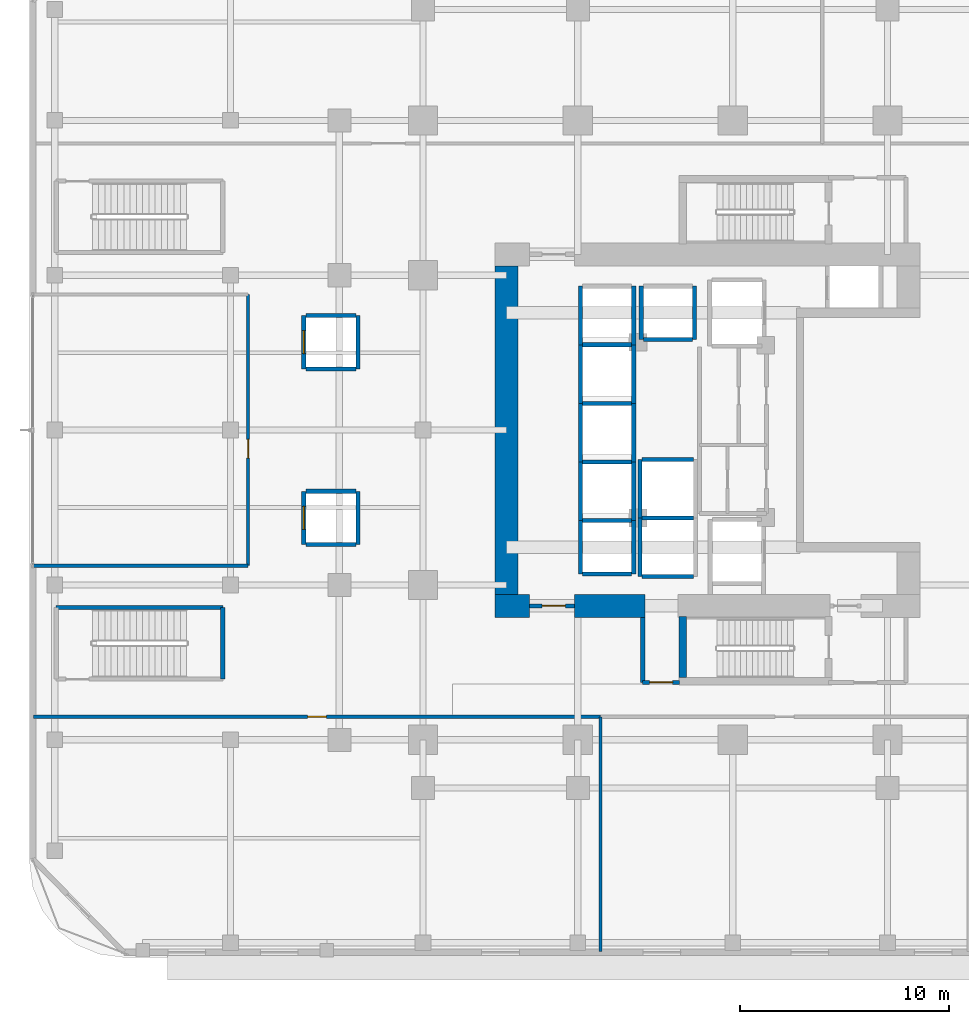
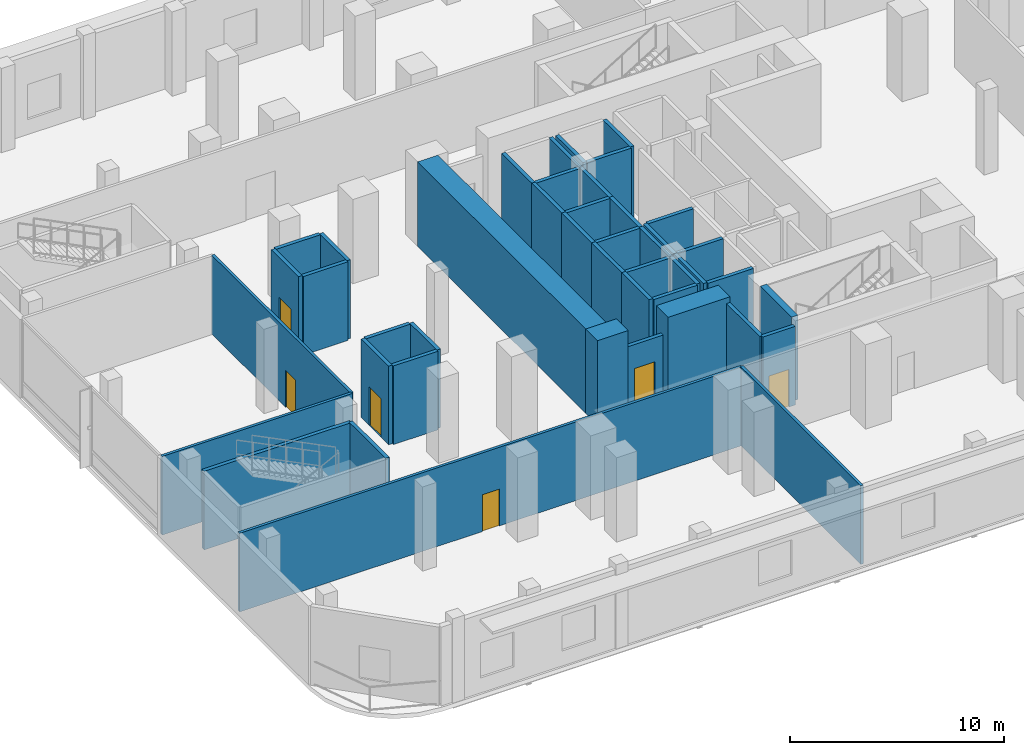
# One storey, part 8 of 19: 44 walls, 6 doors, 6 openings.
"""IFC4 building model written with IfcOpenShell, lengths in metres."""

import ifcopenshell
import ifcopenshell.guid

model = None  # the IFC model being written
_history = None  # IfcOwnerHistory: only IFC2X3 demands one
_inside = {}  # id of a spatial element -> (the spatial element, [elements in it])
_under = {}  # id of a project, library or spatial element -> (it, [spatial elements below it])
_declared = {}  # id of a project -> (the project, [libraries it declares])
_typed = {}  # id of a type object -> (the type object, [elements of that type])
_made_of = {}  # id of a material, layer set ... -> (it, [elements and type objects made of it])


def new_model(schema):
    """Start an empty IFC model of exactly this schema.

    Asked for "IFC4X3", IfcOpenShell would pick the latest addendum, in which some entities
    have other attributes; the version numbers below select the first issue.
    IFC2X3 requires an IfcOwnerHistory on every rooted entity: one is made here for all.
    """
    global model, _history
    if schema == "IFC4X3":
        model = ifcopenshell.file(schema_version=(4, 3, 0, 0))
    else:
        model = ifcopenshell.file(schema=schema)
    _inside.clear()
    _under.clear()
    _declared.clear()
    _typed.clear()
    _made_of.clear()
    _history = None
    if model.schema == "IFC2X3":
        org = make("IfcOrganization", Name="unknown")
        user = make(
            "IfcPersonAndOrganization",
            ThePerson=make("IfcPerson", FamilyName="unknown"),
            TheOrganization=org,
        )
        app = make(
            "IfcApplication",
            ApplicationDeveloper=org,
            Version="unknown",
            ApplicationFullName="unknown",
            ApplicationIdentifier="unknown",
        )
        _history = make(
            "IfcOwnerHistory",
            OwningUser=user,
            OwningApplication=app,
            ChangeAction="ADDED",
            CreationDate=0,
        )
    return model


def make(cls, **values):
    """One entity of the class cls with the attributes given. An attribute that is None is left unset."""
    return model.create_entity(
        cls, **{name: value for name, value in values.items() if value is not None}
    )


def rooted(cls, **values):
    """An entity with a GlobalId (a new one), such as an element, a storey or a relation."""
    return make(cls, GlobalId=ifcopenshell.guid.new(), OwnerHistory=_history, **values)


def si_unit(unit_type, name, prefix=None):
    """IfcSIUnit, for example si_unit("LENGTHUNIT", "METRE", prefix="MILLI")."""
    return make("IfcSIUnit", UnitType=unit_type, Prefix=prefix, Name=name)


def assignment(units):
    """IfcUnitAssignment: the units of a project."""
    return None if units is None else make("IfcUnitAssignment", Units=units)


def point(xyz):
    """IfcCartesianPoint."""
    return None if xyz is None else make("IfcCartesianPoint", Coordinates=xyz)


def direction(xyz):
    """IfcDirection."""
    return None if xyz is None else make("IfcDirection", DirectionRatios=xyz)


def frame(location, z_axis=None, x_axis=None):
    """IfcAxis2Placement3D, a coordinate frame: its origin and axes. An axis left out is left unset."""
    return make(
        "IfcAxis2Placement3D",
        Location=point(location),
        Axis=direction(z_axis),
        RefDirection=direction(x_axis),
    )


def frame_2d(location, x_axis=None):
    """IfcAxis2Placement2D, a coordinate frame in the plane: its origin and x axis."""
    return make(
        "IfcAxis2Placement2D", Location=point(location), RefDirection=direction(x_axis)
    )


def origin():
    """The frame at (0, 0, 0) with its axes left unset."""
    return frame((0.0, 0.0, 0.0))


def place(relative_to, where):
    """IfcLocalPlacement: puts the frame where relative to a parent placement (None: the world)."""
    return make(
        "IfcLocalPlacement", PlacementRelTo=relative_to, RelativePlacement=where
    )


def context(
    kind, dimensions, precision=None, world=None, true_north=None, identifier=None
):
    """IfcGeometricRepresentationContext, for example the 3D "Model" context."""
    return make(
        "IfcGeometricRepresentationContext",
        ContextIdentifier=identifier,
        ContextType=kind,
        CoordinateSpaceDimension=dimensions,
        Precision=precision,
        WorldCoordinateSystem=world,
        TrueNorth=true_north,
    )


def subcontext(parent, identifier, kind, view, scale=None):
    """IfcGeometricRepresentationSubContext, for example "Body" below "Model"."""
    return make(
        "IfcGeometricRepresentationSubContext",
        ContextIdentifier=identifier,
        ContextType=kind,
        ParentContext=parent,
        TargetScale=scale,
        TargetView=view,
    )


def project(units=None, contexts=None):
    """IfcProject with its units and contexts."""
    return rooted(
        "IfcProject",
        Name="project",
        RepresentationContexts=contexts,
        UnitsInContext=assignment(units),
    )


def spatial(cls, under=None, at=None, **own):
    """A site, building, storey or space (cls), placed at a placement, below another one or the project."""
    s = rooted(cls, ObjectPlacement=at, **own)
    if under is not None:
        _under.setdefault(under.id(), (under, []))[1].append(s)
    return s


def profile(cls, at=None, kind="AREA", **sizes):
    """A parametric profile (cls). Its sizes go by their IFC names, for example OverallWidth=200.0."""
    return make(cls, ProfileType=kind, Position=at, **sizes)


def rectangle(**sizes):
    """IfcRectangleProfileDef."""
    return profile("IfcRectangleProfileDef", **sizes)


def extrude(swept, where, along, depth):
    """IfcExtrudedAreaSolid: the profile swept, set in the frame where, extruded along a direction by depth."""
    return make(
        "IfcExtrudedAreaSolid",
        SweptArea=swept,
        Position=where,
        ExtrudedDirection=direction(along),
        Depth=depth,
    )


def shape(context_of_items, identifier, shape_type, items):
    """IfcShapeRepresentation: the items that make up one representation, for example the "Body"."""
    return make(
        "IfcShapeRepresentation",
        ContextOfItems=context_of_items,
        RepresentationIdentifier=identifier,
        RepresentationType=shape_type,
        Items=items,
    )


def material(Name=None, Category=None):
    """IfcMaterial."""
    return make("IfcMaterial", Name=Name, Category=Category)


def layer(
    of_material, thickness, ventilated=None, Name=None, Category=None, Priority=None
):
    """IfcMaterialLayer: one layer of a wall or slab, of a material (None: an air gap)."""
    return make(
        "IfcMaterialLayer",
        Material=of_material,
        LayerThickness=thickness,
        IsVentilated=ventilated,
        Name=Name,
        Category=Category,
        Priority=Priority,
    )


def layer_set(layers, Name=None):
    """IfcMaterialLayerSet."""
    return make("IfcMaterialLayerSet", MaterialLayers=layers, LayerSetName=Name)


def made_of(thing, what):
    """Note that an element or type object is made of a material, layer set ...; save() writes the relation."""
    if what is not None:
        _made_of.setdefault(what.id(), (what, []))[1].append(thing)
    return thing


def type_object(cls, material=None, **own):
    """A type object (cls), such as IfcWallType, which elements share."""
    return made_of(rooted(cls, **own), material)


def element(
    cls,
    number,
    at=None,
    inside=None,
    cuts=None,
    type_object=None,
    material=None,
    context=None,
    identifier="Body",
    shape_type=None,
    held_by="IfcProductDefinitionShape",
    body=None,
    shapes=None,
    **own,
):
    """One element of the class cls, such as IfcWall. Its Tag is "e" and its number.

    at: its placement. inside: the storey or other place that contains it. cuts: it is an
    opening in that element (IfcRelVoidsElement). A single representation is given by context,
    identifier, shape_type and body (its items); several are given by shapes. held_by: the class
    of the entity that holds the representations. save() writes the other relations.
    """
    e = rooted(cls, Tag="e%d" % number, ObjectPlacement=at, **own)
    if body is not None:
        shapes = [shape(context, identifier, shape_type, body)]
    if shapes is not None:
        e.Representation = make(held_by, Representations=shapes)
    if inside is not None:
        _inside.setdefault(inside.id(), (inside, []))[1].append(e)
    if cuts is not None:
        rooted(
            "IfcRelVoidsElement", RelatingBuildingElement=cuts, RelatedOpeningElement=e
        )
    if type_object is not None:
        _typed.setdefault(type_object.id(), (type_object, []))[1].append(e)
    return made_of(e, material)


def fill(opening, filler):
    """IfcRelFillsElement: the door or window that sits in an opening."""
    return rooted(
        "IfcRelFillsElement",
        RelatingOpeningElement=opening,
        RelatedBuildingElement=filler,
    )


def aggregate(whole, parts):
    """IfcRelAggregates: a whole, such as a stair, and the parts it consists of."""
    return rooted("IfcRelAggregates", RelatingObject=whole, RelatedObjects=parts)


def save(model, path):
    """Write the relations noted so far, then the file.

    IfcRelAggregates (storeys below a building ...), IfcRelContainedInSpatialStructure (elements
    in a storey), IfcRelDefinesByType, IfcRelAssociatesMaterial and IfcRelDeclares: one each for
    every whole, place, type object, material and project.
    """
    for whole, parts in _under.values():
        aggregate(whole, parts)
    for where, things in _inside.values():
        rooted(
            "IfcRelContainedInSpatialStructure",
            RelatedElements=things,
            RelatingStructure=where,
        )
    for kind, things in _typed.values():
        rooted("IfcRelDefinesByType", RelatedObjects=things, RelatingType=kind)
    for what, things in _made_of.values():
        rooted("IfcRelAssociatesMaterial", RelatedObjects=things, RelatingMaterial=what)
    for by, libraries in _declared.values():
        rooted("IfcRelDeclares", RelatingContext=by, RelatedDefinitions=libraries)
    model.write(path)


model = new_model("IFC4")

# Units and contexts
model_context = context("Model", 3, precision=1e-05, world=origin(), true_north=direction((0.0, 1.0)))
body_context = subcontext(model_context, "Body", "Model", "MODEL_VIEW")
ifc_project = project(units=[si_unit("LENGTHUNIT", "METRE"), si_unit("AREAUNIT", "SQUARE_METRE"), si_unit("VOLUMEUNIT", "CUBIC_METRE"), si_unit("PLANEANGLEUNIT", "RADIAN"), si_unit("MASSUNIT", "GRAM", prefix="KILO")], contexts=[model_context])

# Site, building, storey
site_placement = place(None, origin())
site = spatial("IfcSite", under=ifc_project, at=site_placement, CompositionType="ELEMENT")
building_placement = place(site_placement, origin())
building = spatial("IfcBuilding", under=site, at=building_placement, Name="Khorvyn Point Tower", CompositionType="ELEMENT")
storey_placement = place(building_placement, frame((0.0, 0.0, 21.60009765625)))
storey = spatial("IfcBuildingStorey", under=building, at=storey_placement, Name="L06", CompositionType="ELEMENT", Elevation=21.60009765625)

# Wall, opening, door
ifc_material_1 = material(Name="Concrete C40/50", Category="concrete")
ifc_layer_1 = layer(ifc_material_1, 0.199951171875)
ifc_layer_set_1 = layer_set([ifc_layer_1], Name="Concrete C40/50 Fire-Lobby Compartment Wall 200")
wall_type_1 = type_object("IfcWallType", Name="Concrete C40/50 Fire-Lobby Compartment Wall 200", PredefinedType="SOLIDWALL", material=ifc_layer_set_1)
wall_1_placement = place(storey_placement, frame((-9.699951171875, -8.39990234375, 0.0), z_axis=(0.0, 0.0, 1.0), x_axis=(1.0, 0.0, 0.0)))
wall_1 = element("IfcWall", 1, at=wall_1_placement, inside=storey, type_object=wall_type_1, Name="Wall", PredefinedType="SOLIDWALL", context=body_context, shape_type="SweptSolid", body=[
    extrude(rectangle(XDim=2.14990234375, YDim=0.199951171875, at=frame_2d((1.074951171875, 0.0))), origin(), (0.0, 0.0, 1.0), 3.52001953125),
])
opening_1_placement = place(wall_1_placement, frame((0.597900390625, 0.0, 0.0)))
opening_1 = element("IfcOpeningElement", 2, at=opening_1_placement, cuts=wall_1, Name="Opening ID-FL90", PredefinedType="OPENING", context=body_context, shape_type="SweptSolid", body=[
    extrude(rectangle(XDim=1.10009765625, YDim=2.14990234375, at=frame_2d((0.550048828125, 1.074951171875))), frame((0.0, 0.10986328125, 0.0), z_axis=(0.0, -1.0, 0.0), x_axis=(1.0, 0.0, 0.0)), (0.0, 0.0, 1.0), 0.219970703125),
])
ifc_material_2 = material(Name="Galvanised powder-coated steel", Category="steel")
door_type_1 = type_object("IfcDoorType", Name="Fire-Rated Steel Lobby and Stair Door 1100x2150", OperationType="NOTDEFINED", PredefinedType="DOOR", material=ifc_material_2)
door_1_placement = place(opening_1_placement, origin())
door_1 = element("IfcDoor", 3, at=door_1_placement, inside=storey, type_object=door_type_1, Name="Door", OperationType="SINGLE_SWING_LEFT", OverallHeight=2.14990234375, OverallWidth=1.10009765625, PredefinedType="DOOR", context=body_context, shape_type="SweptSolid", body=[
    extrude(rectangle(XDim=1.10009765625, YDim=2.14990234375, at=frame_2d((0.550048828125, 1.074951171875))), frame((0.0, 0.02490234375, 0.0), z_axis=(0.0, -1.0, 0.0), x_axis=(1.0, 0.0, 0.0)), (0.0, 0.0, 1.0), 0.050048828125),
])
fill(opening_1, door_1)

wall_2_placement = place(storey_placement, frame((-4.300048828125, -12.06005859375, 0.0), z_axis=(0.0, 0.0, 1.0), x_axis=(1.0, 0.0, 0.0)))
wall_2 = element("IfcWall", 4, at=wall_2_placement, inside=storey, type_object=wall_type_1, Name="Wall", PredefinedType="SOLIDWALL", context=body_context, shape_type="SweptSolid", body=[
    extrude(rectangle(XDim=1.75, YDim=0.199951171875, at=frame_2d((0.875, 0.0))), origin(), (0.0, 0.0, 1.0), 4.47998046875),
])
opening_2_placement = place(wall_2_placement, frame((0.324951171875, 0.0, 0.0)))
opening_2 = element("IfcOpeningElement", 5, at=opening_2_placement, cuts=wall_2, Name="Opening ID-FL90", PredefinedType="OPENING", context=body_context, shape_type="SweptSolid", body=[
    extrude(rectangle(XDim=1.10009765625, YDim=2.14990234375, at=frame_2d((0.550048828125, 1.074951171875))), frame((0.0, 0.10986328125, 0.0), z_axis=(0.0, -1.0, 0.0), x_axis=(1.0, 0.0, 0.0)), (0.0, 0.0, 1.0), 0.219970703125),
])
door_2_placement = place(opening_2_placement, origin())
door_2 = element("IfcDoor", 6, at=door_2_placement, inside=storey, type_object=door_type_1, Name="Door", OperationType="SINGLE_SWING_LEFT", OverallHeight=2.14990234375, OverallWidth=1.10009765625, PredefinedType="DOOR", context=body_context, shape_type="SweptSolid", body=[
    extrude(rectangle(XDim=1.10009765625, YDim=2.14990234375, at=frame_2d((0.550048828125, 1.074951171875))), frame((0.0, 0.02490234375, 0.0), z_axis=(0.0, -1.0, 0.0), x_axis=(1.0, 0.0, 0.0)), (0.0, 0.0, 1.0), 0.050048828125),
])
fill(opening_2, door_2)

# Walls
wall_3_placement = place(storey_placement, frame((-4.300048828125, -12.06005859375, 0.0), z_axis=(0.0, 0.0, 1.0), x_axis=(0.0, 1.0, 0.0)))
element("IfcWall", 7, at=wall_3_placement, inside=storey, type_object=wall_type_1, Name="Wall", PredefinedType="SOLIDWALL", context=body_context, shape_type="SweptSolid", body=[
    extrude(rectangle(XDim=3.110107421875, YDim=0.199951171875, at=frame_2d((1.55517578125, 0.0))), origin(), (0.0, 0.0, 1.0), 4.47998046875),
])
ifc_layer_2 = layer(ifc_material_1, 0.35009765625)
ifc_layer_set_2 = layer_set([ifc_layer_2], Name="Concrete C40/50 Stair Shaft Structural Wall 350")
wall_type_2 = type_object("IfcWallType", Name="Concrete C40/50 Stair Shaft Structural Wall 350", PredefinedType="SHEAR", material=ifc_layer_set_2)
wall_4_placement = place(storey_placement, frame((-2.3798828125, -11.824951171875, 0.0), z_axis=(0.0, 0.0, 1.0), x_axis=(0.0, 1.0, 0.0)))
element("IfcWall", 8, at=wall_4_placement, inside=storey, type_object=wall_type_2, Name="L06 ST-01 West Shaft Wall", PredefinedType="SHEAR", context=body_context, shape_type="SweptSolid", body=[
    extrude(rectangle(XDim=2.925048828125, YDim=0.35009765625, at=frame_2d((1.46240234375, 0.0))), origin(), (0.0, 0.0, 1.0), 4.7998046875),
])

# Wall, opening, door
ifc_layer_3 = layer(ifc_material_1, 0.199951171875)
ifc_layer_set_3 = layer_set([ifc_layer_3], Name="Concrete C40/50 Structural Hoistway and Stair Shaft Wall 200")
wall_type_3 = type_object("IfcWallType", Name="Concrete C40/50 Structural Hoistway and Stair Shaft Wall 200", PredefinedType="SHEAR", material=ifc_layer_set_3)
wall_5_placement = place(storey_placement, frame((-20.5, -5.47509765625, 0.0), z_axis=(0.0, 0.0, 1.0), x_axis=(0.0, 1.0, 0.0)))
wall_5 = element("IfcWall", 9, at=wall_5_placement, inside=storey, type_object=wall_type_3, Name="Wall", PredefinedType="SHEAR", context=body_context, shape_type="SweptSolid", body=[
    extrude(rectangle(XDim=2.550048828125, YDim=0.199951171875, at=frame_2d((1.27490234375, 0.0))), origin(), (0.0, 0.0, 1.0), 4.47998046875),
])
opening_3_placement = place(wall_5_placement, frame((0.72509765625, 0.0, 0.0)))
opening_3 = element("IfcOpeningElement", 10, at=opening_3_placement, cuts=wall_5, Name="Opening LD-1122", PredefinedType="OPENING", context=body_context, shape_type="SweptSolid", body=[
    extrude(rectangle(XDim=1.10009765625, YDim=2.199951171875, at=frame_2d((0.550048828125, 1.10009765625))), frame((0.0, 0.10986328125, 0.0), z_axis=(0.0, -1.0, 0.0), x_axis=(1.0, 0.0, 0.0)), (0.0, 0.0, 1.0), 0.219970703125),
])
ifc_material_3 = material(Name="Stainless steel 1.4301", Category="steel")
door_type_2 = type_object("IfcDoorType", Name="Stainless Steel Automatic Sliding Lift Landing Door 1100x2200", OperationType="SLIDING_TO_LEFT", PredefinedType="DOOR", material=ifc_material_3)
door_3_placement = place(opening_3_placement, origin())
door_3 = element("IfcDoor", 11, at=door_3_placement, inside=storey, type_object=door_type_2, Name="L06 SL-01 Sliding Lift Landing Door", OperationType="SLIDING_TO_LEFT", OverallHeight=2.199951171875, OverallWidth=1.10009765625, PredefinedType="DOOR", context=body_context, shape_type="SweptSolid", body=[
    extrude(rectangle(XDim=1.10009765625, YDim=2.199951171875, at=frame_2d((0.550048828125, 1.10009765625))), frame((0.0, 0.02490234375, 0.0), z_axis=(0.0, -1.0, 0.0), x_axis=(1.0, 0.0, 0.0)), (0.0, 0.0, 1.0), 0.050048828125),
])
fill(opening_3, door_3)

# Walls
wall_6_placement = place(storey_placement, frame((-17.89990234375, -5.47509765625, 0.0), z_axis=(0.0, 0.0, 1.0), x_axis=(0.0, 1.0, 0.0)))
element("IfcWall", 12, at=wall_6_placement, inside=storey, type_object=wall_type_3, Name="Wall", PredefinedType="SHEAR", context=body_context, shape_type="SweptSolid", body=[
    extrude(rectangle(XDim=2.550048828125, YDim=0.199951171875, at=frame_2d((1.27490234375, 0.0))), origin(), (0.0, 0.0, 1.0), 4.47998046875),
])
for number, where, z_axis, x_axis, name in (
    (13, (-20.39990234375, -5.47509765625, 0.0), (0.0, 0.0, 1.0), (1.0, 0.0, 0.0), "Wall"),
    (14, (-20.39990234375, -2.925048828125, 0.0), (0.0, 0.0, 1.0), (1.0, 0.0, 0.0), "Wall"),
):
    element("IfcWall", number, at=place(storey_placement, frame(where, z_axis=z_axis, x_axis=x_axis)), inside=storey, type_object=wall_type_3, Name=name, PredefinedType="SHEAR", context=body_context, shape_type="SweptSolid", body=[
        extrude(rectangle(XDim=2.39990234375, YDim=0.199951171875, at=frame_2d((1.199951171875, 0.0))), origin(), (0.0, 0.0, 1.0), 4.47998046875),
    ])

# Wall, opening, door
wall_7_placement = place(storey_placement, frame((-20.5, 2.925048828125, 0.0), z_axis=(0.0, 0.0, 1.0), x_axis=(0.0, 1.0, 0.0)))
wall_7 = element("IfcWall", 15, at=wall_7_placement, inside=storey, type_object=wall_type_3, Name="Wall", PredefinedType="SHEAR", context=body_context, shape_type="SweptSolid", body=[
    extrude(rectangle(XDim=2.550048828125, YDim=0.199951171875, at=frame_2d((1.27490234375, 0.0))), origin(), (0.0, 0.0, 1.0), 4.47998046875),
])
opening_4_placement = place(wall_7_placement, frame((0.72509765625, 0.0, 0.0)))
opening_4 = element("IfcOpeningElement", 16, at=opening_4_placement, cuts=wall_7, Name="Opening LD-1122", PredefinedType="OPENING", context=body_context, shape_type="SweptSolid", body=[
    extrude(rectangle(XDim=1.10009765625, YDim=2.199951171875, at=frame_2d((0.550048828125, 1.10009765625))), frame((0.0, 0.10986328125, 0.0), z_axis=(0.0, -1.0, 0.0), x_axis=(1.0, 0.0, 0.0)), (0.0, 0.0, 1.0), 0.219970703125),
])
door_4_placement = place(opening_4_placement, origin())
door_4 = element("IfcDoor", 17, at=door_4_placement, inside=storey, type_object=door_type_2, Name="L06 SL-02 Sliding Lift Landing Door", OperationType="SLIDING_TO_LEFT", OverallHeight=2.199951171875, OverallWidth=1.10009765625, PredefinedType="DOOR", context=body_context, shape_type="SweptSolid", body=[
    extrude(rectangle(XDim=1.10009765625, YDim=2.199951171875, at=frame_2d((0.550048828125, 1.10009765625))), frame((0.0, 0.02490234375, 0.0), z_axis=(0.0, -1.0, 0.0), x_axis=(1.0, 0.0, 0.0)), (0.0, 0.0, 1.0), 0.050048828125),
])
fill(opening_4, door_4)

# Walls
wall_8_placement = place(storey_placement, frame((-17.89990234375, 2.925048828125, 0.0), z_axis=(0.0, 0.0, 1.0), x_axis=(0.0, 1.0, 0.0)))
element("IfcWall", 18, at=wall_8_placement, inside=storey, type_object=wall_type_3, Name="Wall", PredefinedType="SHEAR", context=body_context, shape_type="SweptSolid", body=[
    extrude(rectangle(XDim=2.550048828125, YDim=0.199951171875, at=frame_2d((1.27490234375, 0.0))), origin(), (0.0, 0.0, 1.0), 4.47998046875),
])
for number, where, z_axis, x_axis, name in (
    (19, (-20.39990234375, 2.925048828125, 0.0), (0.0, 0.0, 1.0), (1.0, 0.0, 0.0), "Wall"),
    (20, (-20.39990234375, 5.47509765625, 0.0), (0.0, 0.0, 1.0), (1.0, 0.0, 0.0), "Wall"),
):
    element("IfcWall", number, at=place(storey_placement, frame(where, z_axis=z_axis, x_axis=x_axis)), inside=storey, type_object=wall_type_3, Name=name, PredefinedType="SHEAR", context=body_context, shape_type="SweptSolid", body=[
        extrude(rectangle(XDim=2.39990234375, YDim=0.199951171875, at=frame_2d((1.199951171875, 0.0))), origin(), (0.0, 0.0, 1.0), 4.47998046875),
    ])
for number, where, z_axis, x_axis, name in (
    (21, (-7.27490234375, -6.875, 0.0), (0.0, 0.0, 1.0), (0.0, 1.0, 0.0), "Wall"),
    (22, (-4.72509765625, -6.875, 0.0), (0.0, 0.0, 1.0), (0.0, 1.0, 0.0), "Wall"),
):
    element("IfcWall", number, at=place(storey_placement, frame(where, z_axis=z_axis, x_axis=x_axis)), inside=storey, type_object=wall_type_3, Name=name, PredefinedType="SHEAR", context=body_context, shape_type="SweptSolid", body=[
        extrude(rectangle(XDim=2.550048828125, YDim=0.199951171875, at=frame_2d((1.27490234375, 0.0))), origin(), (0.0, 0.0, 1.0), 4.47998046875),
    ])
for number, where, z_axis, x_axis, name in (
    (23, (-7.175048828125, -6.875, 0.0), (0.0, 0.0, 1.0), (1.0, 0.0, 0.0), "Wall"),
    (24, (-7.175048828125, -4.324951171875, 0.0), (0.0, 0.0, 1.0), (1.0, 0.0, 0.0), "Wall"),
):
    element("IfcWall", number, at=place(storey_placement, frame(where, z_axis=z_axis, x_axis=x_axis)), inside=storey, type_object=wall_type_3, Name=name, PredefinedType="SHEAR", context=body_context, shape_type="SweptSolid", body=[
        extrude(rectangle(XDim=2.35009765625, YDim=0.199951171875, at=frame_2d((1.175048828125, 0.0))), origin(), (0.0, 0.0, 1.0), 4.47998046875),
    ])
for number, where, z_axis, x_axis, name in (
    (25, (-7.27490234375, -4.324951171875, 0.0), (0.0, 0.0, 1.0), (0.0, 1.0, 0.0), "Wall"),
    (26, (-4.72509765625, -4.324951171875, 0.0), (0.0, 0.0, 1.0), (0.0, 1.0, 0.0), "Wall"),
):
    element("IfcWall", number, at=place(storey_placement, frame(where, z_axis=z_axis, x_axis=x_axis)), inside=storey, type_object=wall_type_3, Name=name, PredefinedType="SHEAR", context=body_context, shape_type="SweptSolid", body=[
        extrude(rectangle(XDim=2.800048828125, YDim=0.199951171875, at=frame_2d((1.39990234375, 0.0))), origin(), (0.0, 0.0, 1.0), 4.47998046875),
    ])
wall_9_placement = place(storey_placement, frame((-7.175048828125, -1.52490234375, 0.0), z_axis=(0.0, 0.0, 1.0), x_axis=(1.0, 0.0, 0.0)))
element("IfcWall", 27, at=wall_9_placement, inside=storey, type_object=wall_type_3, Name="Wall", PredefinedType="SHEAR", context=body_context, shape_type="SweptSolid", body=[
    extrude(rectangle(XDim=2.35009765625, YDim=0.199951171875, at=frame_2d((1.175048828125, 0.0))), origin(), (0.0, 0.0, 1.0), 4.47998046875),
])
for number, where, z_axis, x_axis, name in (
    (28, (-7.27490234375, -1.52490234375, 0.0), (0.0, 0.0, 1.0), (0.0, 1.0, 0.0), "Wall"),
    (29, (-4.72509765625, -1.52490234375, 0.0), (0.0, 0.0, 1.0), (0.0, 1.0, 0.0), "Wall"),
):
    element("IfcWall", number, at=place(storey_placement, frame(where, z_axis=z_axis, x_axis=x_axis)), inside=storey, type_object=wall_type_3, Name=name, PredefinedType="SHEAR", context=body_context, shape_type="SweptSolid", body=[
        extrude(rectangle(XDim=2.7998046875, YDim=0.199951171875, at=frame_2d((1.39990234375, 0.0))), origin(), (0.0, 0.0, 1.0), 4.47998046875),
    ])
wall_10_placement = place(storey_placement, frame((-7.175048828125, 1.27490234375, 0.0), z_axis=(0.0, 0.0, 1.0), x_axis=(1.0, 0.0, 0.0)))
element("IfcWall", 30, at=wall_10_placement, inside=storey, type_object=wall_type_3, Name="Wall", PredefinedType="SHEAR", context=body_context, shape_type="SweptSolid", body=[
    extrude(rectangle(XDim=2.35009765625, YDim=0.199951171875, at=frame_2d((1.175048828125, 0.0))), origin(), (0.0, 0.0, 1.0), 4.47998046875),
])
for number, where, z_axis, x_axis, name in (
    (31, (-7.27490234375, 1.27490234375, 0.0), (0.0, 0.0, 1.0), (0.0, 1.0, 0.0), "Wall"),
    (32, (-4.72509765625, 1.27490234375, 0.0), (0.0, 0.0, 1.0), (0.0, 1.0, 0.0), "Wall"),
):
    element("IfcWall", number, at=place(storey_placement, frame(where, z_axis=z_axis, x_axis=x_axis)), inside=storey, type_object=wall_type_3, Name=name, PredefinedType="SHEAR", context=body_context, shape_type="SweptSolid", body=[
        extrude(rectangle(XDim=2.800048828125, YDim=0.199951171875, at=frame_2d((1.39990234375, 0.0))), origin(), (0.0, 0.0, 1.0), 4.47998046875),
    ])
wall_11_placement = place(storey_placement, frame((-7.175048828125, 4.074951171875, 0.0), z_axis=(0.0, 0.0, 1.0), x_axis=(1.0, 0.0, 0.0)))
element("IfcWall", 33, at=wall_11_placement, inside=storey, type_object=wall_type_3, Name="Wall", PredefinedType="SHEAR", context=body_context, shape_type="SweptSolid", body=[
    extrude(rectangle(XDim=2.35009765625, YDim=0.199951171875, at=frame_2d((1.175048828125, 0.0))), origin(), (0.0, 0.0, 1.0), 4.47998046875),
])
for number, where, z_axis, x_axis, name in (
    (34, (-7.27490234375, 4.074951171875, 0.0), (0.0, 0.0, 1.0), (0.0, 1.0, 0.0), "Wall"),
    (35, (-4.72509765625, 4.074951171875, 0.0), (0.0, 0.0, 1.0), (0.0, 1.0, 0.0), "Wall"),
):
    element("IfcWall", number, at=place(storey_placement, frame(where, z_axis=z_axis, x_axis=x_axis)), inside=storey, type_object=wall_type_3, Name=name, PredefinedType="SHEAR", context=body_context, shape_type="SweptSolid", body=[
        extrude(rectangle(XDim=2.800048828125, YDim=0.199951171875, at=frame_2d((1.39990234375, 0.0))), origin(), (0.0, 0.0, 1.0), 4.47998046875),
    ])
for number, where, z_axis, x_axis, name in (
    (36, (-4.375, 4.324951171875, 0.0), (0.0, 0.0, 1.0), (0.0, 1.0, 0.0), "Wall"),
    (37, (-1.824951171875, 4.324951171875, 0.0), (0.0, 0.0, 1.0), (0.0, 1.0, 0.0), "Wall"),
):
    element("IfcWall", number, at=place(storey_placement, frame(where, z_axis=z_axis, x_axis=x_axis)), inside=storey, type_object=wall_type_3, Name=name, PredefinedType="SHEAR", context=body_context, shape_type="SweptSolid", body=[
        extrude(rectangle(XDim=2.550048828125, YDim=0.199951171875, at=frame_2d((1.27490234375, 0.0))), origin(), (0.0, 0.0, 1.0), 4.47998046875),
    ])
wall_12_placement = place(storey_placement, frame((-4.27490234375, 4.324951171875, 0.0), z_axis=(0.0, 0.0, 1.0), x_axis=(1.0, 0.0, 0.0)))
element("IfcWall", 38, at=wall_12_placement, inside=storey, type_object=wall_type_3, Name="Wall", PredefinedType="SHEAR", context=body_context, shape_type="SweptSolid", body=[
    extrude(rectangle(XDim=2.349853515625, YDim=0.199951171875, at=frame_2d((1.1748046875, 0.0))), origin(), (0.0, 0.0, 1.0), 4.47998046875),
])
wall_13_placement = place(storey_placement, frame((-4.425048828125, -7.0, 0.0), z_axis=(0.0, 0.0, 1.0), x_axis=(0.0, 1.0, 0.0)))
element("IfcWall", 39, at=wall_13_placement, inside=storey, type_object=wall_type_3, Name="Wall", PredefinedType="SHEAR", context=body_context, shape_type="SweptSolid", body=[
    extrude(rectangle(XDim=2.800048828125, YDim=0.199951171875, at=frame_2d((1.39990234375, 0.0))), origin(), (0.0, 0.0, 1.0), 4.47998046875),
])
for number, where, z_axis, x_axis, name in (
    (40, (-4.324951171875, -7.0, 0.0), (0.0, 0.0, 1.0), (1.0, 0.0, 0.0), "Wall"),
    (41, (-4.324951171875, -4.199951171875, 0.0), (0.0, 0.0, 1.0), (1.0, 0.0, 0.0), "Wall"),
):
    element("IfcWall", number, at=place(storey_placement, frame(where, z_axis=z_axis, x_axis=x_axis)), inside=storey, type_object=wall_type_3, Name=name, PredefinedType="SHEAR", context=body_context, shape_type="SweptSolid", body=[
        extrude(rectangle(XDim=2.449951171875, YDim=0.199951171875, at=frame_2d((1.22509765625, 0.0))), origin(), (0.0, 0.0, 1.0), 4.47998046875),
    ])
wall_14_placement = place(storey_placement, frame((-4.425048828125, -4.199951171875, 0.0), z_axis=(0.0, 0.0, 1.0), x_axis=(0.0, 1.0, 0.0)))
element("IfcWall", 42, at=wall_14_placement, inside=storey, type_object=wall_type_3, Name="Wall", PredefinedType="SHEAR", context=body_context, shape_type="SweptSolid", body=[
    extrude(rectangle(XDim=2.800048828125, YDim=0.199951171875, at=frame_2d((1.39990234375, 0.0))), origin(), (0.0, 0.0, 1.0), 4.47998046875),
])
wall_15_placement = place(storey_placement, frame((-4.324951171875, -1.39990234375, 0.0), z_axis=(0.0, 0.0, 1.0), x_axis=(1.0, 0.0, 0.0)))
element("IfcWall", 43, at=wall_15_placement, inside=storey, type_object=wall_type_3, Name="Wall", PredefinedType="SHEAR", context=body_context, shape_type="SweptSolid", body=[
    extrude(rectangle(XDim=2.449951171875, YDim=0.199951171875, at=frame_2d((1.22509765625, 0.0))), origin(), (0.0, 0.0, 1.0), 4.47998046875),
])
wall_16_placement = place(storey_placement, frame((-24.3701171875, -8.47998046875, 0.0), z_axis=(0.0, 0.0, 1.0), x_axis=(0.0, -1.0, 0.0)))
element("IfcWall", 44, at=wall_16_placement, inside=storey, type_object=wall_type_3, Name="Wall", PredefinedType="SHEAR", context=body_context, shape_type="SweptSolid", body=[
    extrude(rectangle(XDim=3.419921875, YDim=0.199951171875, at=frame_2d((1.7099609375, 0.0))), origin(), (0.0, 0.0, 1.0), 4.47998046875),
])
wall_17_placement = place(storey_placement, frame((-32.330078125, -8.47998046875, 0.0), z_axis=(0.0, 0.0, 1.0), x_axis=(1.0, 0.0, 0.0)))
element("IfcWall", 45, at=wall_17_placement, inside=storey, type_object=wall_type_3, Name="Wall", PredefinedType="SHEAR", context=body_context, shape_type="SweptSolid", body=[
    extrude(rectangle(XDim=7.9599609375, YDim=0.199951171875, at=frame_2d((3.97998046875, 0.0))), origin(), (0.0, 0.0, 1.0), 4.47998046875),
])
ifc_material_4 = material(Name="Concrete C50/60", Category="concrete")
ifc_layer_4 = layer(ifc_material_4, 1.10009765625)
ifc_layer_set_4 = layer_set([ifc_layer_4], Name="Concrete C50/60 Core Shear Wall 1100")
wall_type_4 = type_object("IfcWallType", Name="Concrete C50/60 Core Shear Wall 1100", PredefinedType="SHEAR", material=ifc_layer_set_4)
wall_18_placement = place(storey_placement, frame((-11.35009765625, -8.39990234375, 0.0), z_axis=(0.0, 0.0, 1.0), x_axis=(1.0, 0.0, 0.0)))
element("IfcWall", 46, at=wall_18_placement, inside=storey, type_object=wall_type_4, Name="Wall", PredefinedType="SHEAR", context=body_context, shape_type="SweptSolid", body=[
    extrude(rectangle(XDim=1.650146484375, YDim=1.10009765625, at=frame_2d((0.8251953125, 0.0))), origin(), (0.0, 0.0, 1.0), 4.7998046875),
])
wall_19_placement = place(storey_placement, frame((-7.550048828125, -8.39990234375, 0.0), z_axis=(0.0, 0.0, 1.0), x_axis=(1.0, 0.0, 0.0)))
element("IfcWall", 47, at=wall_19_placement, inside=storey, type_object=wall_type_4, Name="Wall", PredefinedType="SHEAR", context=body_context, shape_type="SweptSolid", body=[
    extrude(rectangle(XDim=3.35009765625, YDim=1.10009765625, at=frame_2d((1.675048828125, 0.0))), origin(), (0.0, 0.0, 1.0), 4.7998046875),
])
wall_20_placement = place(storey_placement, frame((-10.800048828125, -7.85009765625, 0.0), z_axis=(0.0, 0.0, 1.0), x_axis=(0.0, 1.0, 0.0)))
element("IfcWall", 48, at=wall_20_placement, inside=storey, type_object=wall_type_4, Name="Wall", PredefinedType="SHEAR", context=body_context, shape_type="SweptSolid", body=[
    extrude(rectangle(XDim=15.7001953125, YDim=1.10009765625, at=frame_2d((7.85009765625, 0.0))), origin(), (0.0, 0.0, 1.0), 4.7998046875),
])

# Wall, opening, door
ifc_material_5 = material(Name="Moisture-resistant gypsum and cement board", Category="gypsum")
ifc_layer_5 = layer(ifc_material_5, 0.14990234375)
ifc_layer_set_5 = layer_set([ifc_layer_5], Name="Moisture-Resistant Wet-Room Partition Wall 150")
wall_type_5 = type_object("IfcWallType", Name="Moisture-Resistant Wet-Room Partition Wall 150", PredefinedType="PARTITIONING", material=ifc_layer_set_5)
wall_21_placement = place(storey_placement, frame((-23.159912109375, -6.47998046875, 0.0), z_axis=(0.0, 0.0, 1.0), x_axis=(0.0, 1.0, 0.0)))
wall_21 = element("IfcWall", 49, at=wall_21_placement, inside=storey, type_object=wall_type_5, Name="Wall", PredefinedType="PARTITIONING", context=body_context, shape_type="SweptSolid", body=[
    extrude(rectangle(XDim=12.9599609375, YDim=0.14990234375, at=frame_2d((6.47998046875, 0.0))), origin(), (0.0, 0.0, 1.0), 4.47998046875),
])
opening_5_placement = place(wall_21_placement, frame((5.140625, 0.0, 0.0)))
opening_5 = element("IfcOpeningElement", 50, at=opening_5_placement, cuts=wall_21, Name="Opening ID-RM90", PredefinedType="OPENING", context=body_context, shape_type="SweptSolid", body=[
    extrude(rectangle(XDim=0.89990234375, YDim=2.10009765625, at=frame_2d((0.449951171875, 1.050048828125))), frame((0.0, 0.0849609375, 0.0), z_axis=(0.0, -1.0, 0.0), x_axis=(1.0, 0.0, 0.0)), (0.0, 0.0, 1.0), 0.169921875),
])
ifc_material_6 = material(Name="Engineered oak veneer timber", Category="wood")
door_type_3 = type_object("IfcDoorType", Name="Flush Engineered Timber Room Door 900x2100", OperationType="NOTDEFINED", PredefinedType="DOOR", material=ifc_material_6)
door_5_placement = place(opening_5_placement, origin())
door_5 = element("IfcDoor", 51, at=door_5_placement, inside=storey, type_object=door_type_3, Name="Door", OperationType="SINGLE_SWING_RIGHT", OverallHeight=2.10009765625, OverallWidth=0.89990234375, PredefinedType="DOOR", context=body_context, shape_type="SweptSolid", body=[
    extrude(rectangle(XDim=0.89990234375, YDim=2.10009765625, at=frame_2d((0.449951171875, 1.050048828125))), frame((0.0, 0.02490234375, 0.0), z_axis=(0.0, -1.0, 0.0), x_axis=(1.0, 0.0, 0.0)), (0.0, 0.0, 1.0), 0.050048828125),
])
fill(opening_5, door_5)

wall_22_placement = place(storey_placement, frame((-33.419921875, -13.699951171875, 0.0), z_axis=(0.0, 0.0, 1.0), x_axis=(1.0, 0.0, 0.0)))
wall_22 = element("IfcWall", 52, at=wall_22_placement, inside=storey, type_object=wall_type_5, Name="Wall", PredefinedType="PARTITIONING", context=body_context, shape_type="SweptSolid", body=[
    extrude(rectangle(XDim=27.099853515625, YDim=0.14990234375, at=frame_2d((13.5498046875, 0.0))), origin(), (0.0, 0.0, 1.0), 4.47998046875),
])
opening_6_placement = place(wall_22_placement, frame((13.10009765625, 0.0, 0.0)))
opening_6 = element("IfcOpeningElement", 53, at=opening_6_placement, cuts=wall_22, Name="Opening ID-RM90", PredefinedType="OPENING", context=body_context, shape_type="SweptSolid", body=[
    extrude(rectangle(XDim=0.89990234375, YDim=2.10009765625, at=frame_2d((0.449951171875, 1.050048828125))), frame((0.0, 0.0849609375, 0.0), z_axis=(0.0, -1.0, 0.0), x_axis=(1.0, 0.0, 0.0)), (0.0, 0.0, 1.0), 0.169921875),
])
door_6_placement = place(opening_6_placement, origin())
door_6 = element("IfcDoor", 54, at=door_6_placement, inside=storey, type_object=door_type_3, Name="Door", OperationType="SINGLE_SWING_RIGHT", OverallHeight=2.10009765625, OverallWidth=0.89990234375, PredefinedType="DOOR", context=body_context, shape_type="SweptSolid", body=[
    extrude(rectangle(XDim=0.89990234375, YDim=2.10009765625, at=frame_2d((0.449951171875, 1.050048828125))), frame((0.0, 0.02490234375, 0.0), z_axis=(0.0, -1.0, 0.0), x_axis=(1.0, 0.0, 0.0)), (0.0, 0.0, 1.0), 0.050048828125),
])
fill(opening_6, door_6)

# Walls
wall_23_placement = place(storey_placement, frame((-33.419921875, -6.47998046875, 0.0), z_axis=(0.0, 0.0, 1.0), x_axis=(1.0, 0.0, 0.0)))
element("IfcWall", 55, at=wall_23_placement, inside=storey, type_object=wall_type_5, Name="Wall", PredefinedType="PARTITIONING", context=body_context, shape_type="SweptSolid", body=[
    extrude(rectangle(XDim=10.260009765625, YDim=0.14990234375, at=frame_2d((5.1298828125, 0.0))), origin(), (0.0, 0.0, 1.0), 4.47998046875),
])
wall_24_placement = place(storey_placement, frame((-6.320068359375, -24.919921875, 0.0), z_axis=(0.0, 0.0, 1.0), x_axis=(0.0, 1.0, 0.0)))
element("IfcWall", 56, at=wall_24_placement, inside=storey, type_object=wall_type_5, Name="Wall", PredefinedType="PARTITIONING", context=body_context, shape_type="SweptSolid", body=[
    extrude(rectangle(XDim=11.219970703125, YDim=0.14990234375, at=frame_2d((5.60986328125, 0.0))), origin(), (0.0, 0.0, 1.0), 4.47998046875),
])

save(model, "model.ifc")
